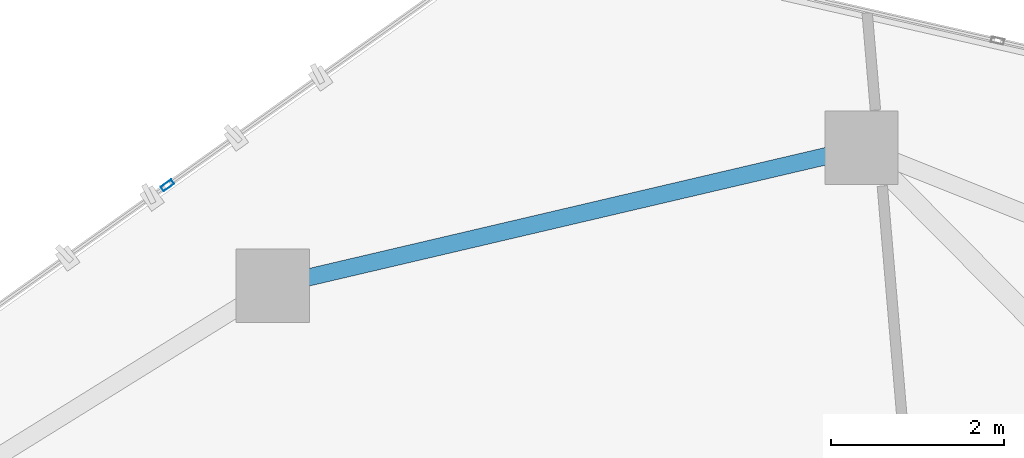
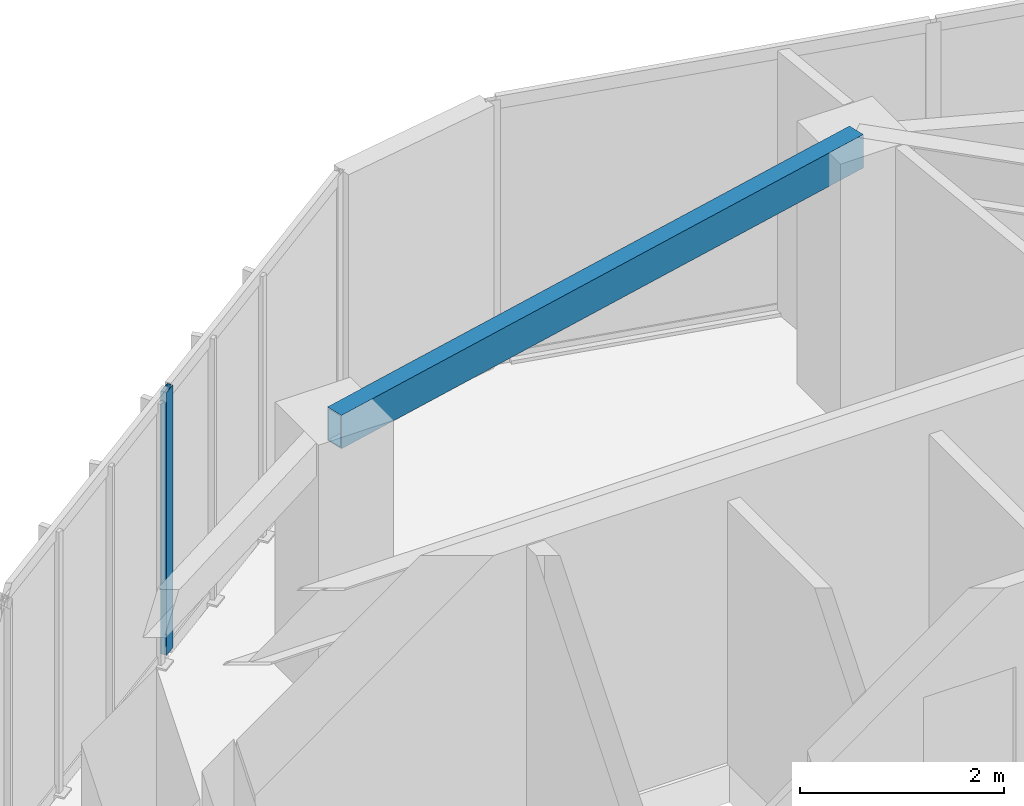
# One storey, part 11 of 19: 1 beam, 1 member, 1 element without a shape of its own.
"""IFC4 building model written with IfcOpenShell, lengths in metres."""

from ifc_helpers import new_model, si_unit, direction, frame, origin, origin_2d, place, context, subcontext, project, spatial, hollow_rectangle, extrude, source, transform, mapped, material, layer, layer_set, material_profile, profile_set, type_object, type_shapes, element, aggregate, save


model = new_model("IFC4")

# Units and contexts
model_context = context("Model", 3, precision=1e-05, world=origin(), true_north=direction((0.0, 1.0)))
body_context = subcontext(model_context, "Body", "Model", "MODEL_VIEW")
ifc_project = project(units=[si_unit("LENGTHUNIT", "METRE"), si_unit("AREAUNIT", "SQUARE_METRE"), si_unit("VOLUMEUNIT", "CUBIC_METRE"), si_unit("PLANEANGLEUNIT", "RADIAN"), si_unit("MASSUNIT", "GRAM", prefix="KILO")], contexts=[model_context])

# Site, building, storey
site_placement = place(None, origin())
site = spatial("IfcSite", under=ifc_project, at=site_placement, CompositionType="ELEMENT")
building_placement = place(site_placement, origin())
building = spatial("IfcBuilding", under=site, at=building_placement, Name="Talar Marvaseh", CompositionType="ELEMENT")
storey_placement = place(building_placement, frame((0.0, 0.0, 240.800048828125)))
storey = spatial("IfcBuildingStorey", under=building, at=storey_placement, Name="L63", CompositionType="ELEMENT", Elevation=240.800048828125)

# Beam
ifc_material_1 = material(Name="Steel S355", Category="steel")
ifc_material_profile_1 = material_profile(ifc_material_1, hollow_rectangle(XDim=0.199951171875, YDim=0.39990234375, WallThickness=0.013916015625, at=origin_2d()), Name="RHS400x200x14")
ifc_profile_set_1 = profile_set([ifc_material_profile_1], Name="Steel S355")
beam_type = type_object("IfcBeamType", Name="Zone 3 Perimeter Spandrel Beam RHS400x200x14", PredefinedType="SPANDREL", material=ifc_profile_set_1)
beam_placement = place(storey_placement, frame((22.364990234375, 39.4541015625, 2.93994140625), z_axis=(0.973655602276, 0.228023613157, 0.0), x_axis=(-0.228023613157, 0.973655602276, 0.0)))
element("IfcBeam", 1, at=beam_placement, inside=storey, type_object=beam_type, Name="L63 Zone 3 Perimeter Spandrel Beam RHS400x200x14", PredefinedType="SPANDREL", context=body_context, shape_type="SweptSolid", body=[
    extrude(hollow_rectangle(XDim=0.199951171875, YDim=0.39990234375, WallThickness=0.013916015625, at=origin_2d()), origin(), (0.0, 0.0, 1.0), 7.007568359375),
])

# Curtain wall, member
ifc_material_2 = material(Name="Architectural Aluminium", Category="aluminium")
ifc_layer = layer(ifc_material_2, 0.179931640625)
ifc_layer_set = layer_set([ifc_layer], Name="Architectural Aluminium")
curtain_wall_type = type_object("IfcCurtainWallType", Name="Unitised High-Wind Sky Curtain Wall Z4", PredefinedType="NOTDEFINED", material=ifc_layer_set)
curtain_wall_placement = place(storey_placement, origin())
curtain_wall = element("IfcCurtainWall", 2, at=curtain_wall_placement, inside=storey, type_object=curtain_wall_type, Name="L63 Unitised High-Wind Sky Curtain Wall Z4", PredefinedType="NOTDEFINED")
ifc_material_profile_2 = material_profile(ifc_material_2, hollow_rectangle(XDim=0.06494140625, YDim=0.14990234375, WallThickness=0.00390625, at=origin_2d()), Name="RHS150x65x4")
ifc_profile_set_2 = profile_set([ifc_material_profile_2], Name="Architectural Aluminium")
member_type = type_object("IfcMemberType", Name="Unitised Curtain Wall Slim Mullion RHS150x65x4", PredefinedType="MULLION", material=ifc_profile_set_2)
shared_shape = source(origin(), body_context, "Body", "SweptSolid", [
    extrude(hollow_rectangle(XDim=0.06494140625, YDim=0.14990234375, WallThickness=0.00390625, at=origin_2d()), origin(), (0.0, 0.0, 1.0), 3.139892578125),
])
type_shapes(member_type, [shared_shape])
member_placement = place(storey_placement, frame((21.142578125, 40.618408203125, 0.0), z_axis=(0.0, 0.0, 1.0), x_axis=(-0.57974226077, 0.814799920887, 0.0)))
member = element("IfcMember", 3, at=member_placement, type_object=member_type, Name="CW-Z4 mullion 3", PredefinedType="MULLION", context=body_context, shape_type="MappedRepresentation", body=[
    mapped(shared_shape, transform((0.0, 0.0, 0.0), x_axis=(1.0, 0.0, 0.0), y_axis=(0.0, 1.0, 0.0), z_axis=(0.0, 0.0, 1.0), scale=1.0)),
])
aggregate(curtain_wall, [member])

save(model, "model.ifc")
